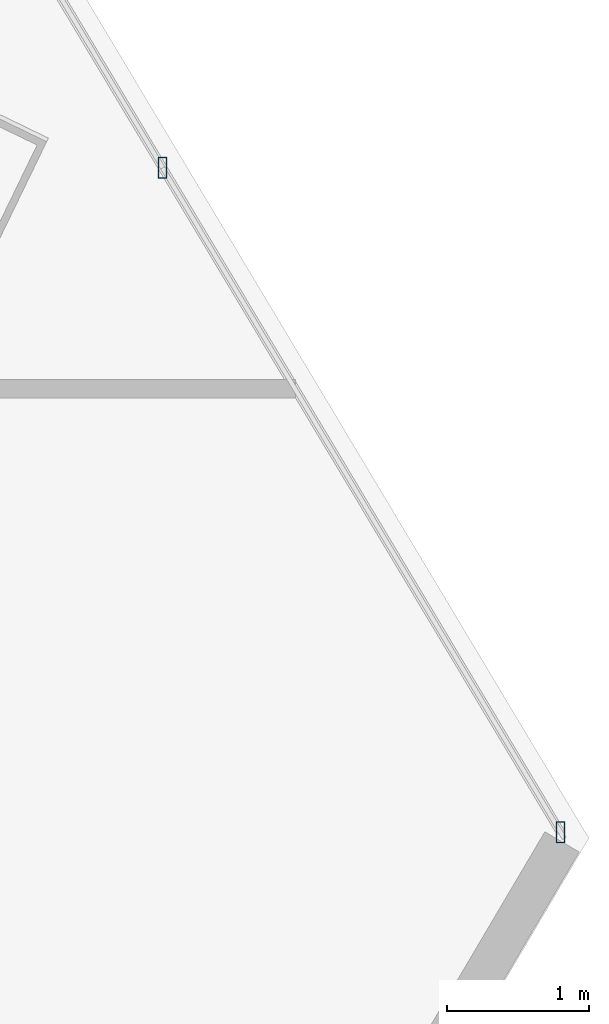
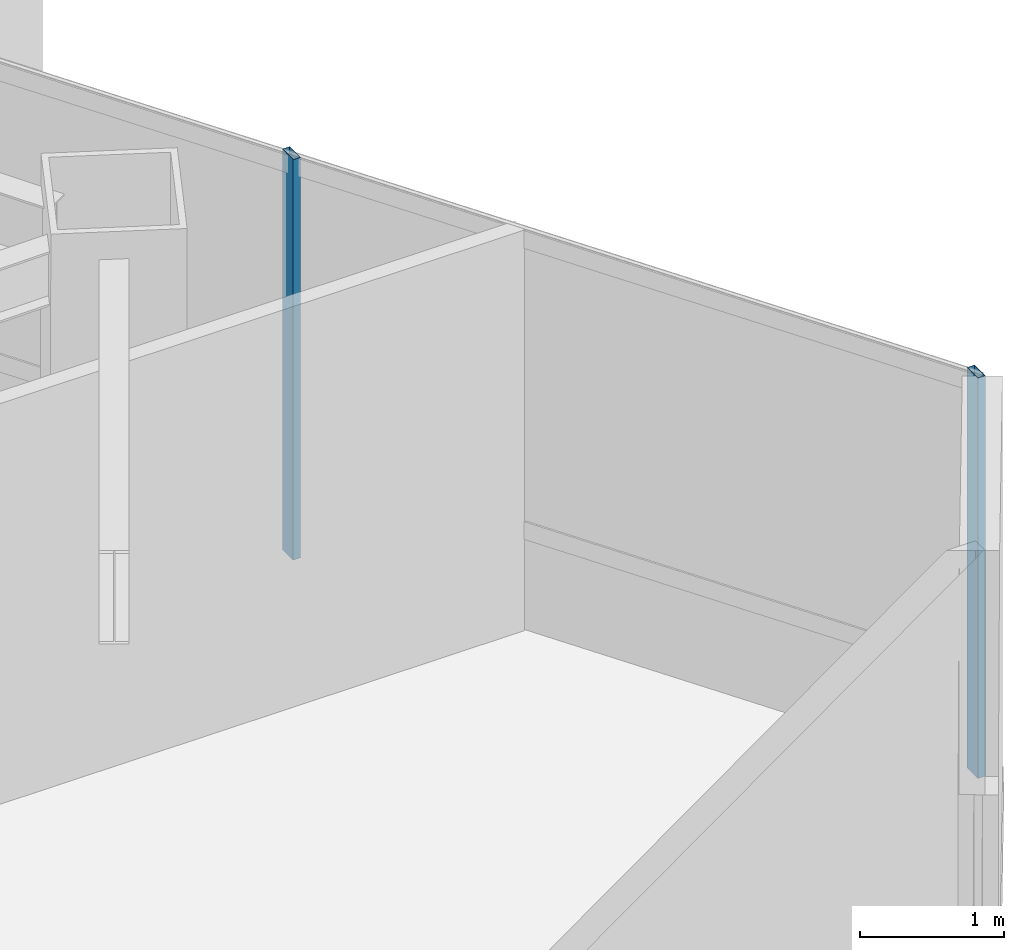
# One storey, part 20 of 40: 2 members, 1 element without a shape of its own.
"""IFC4 building model written with IfcOpenShell, lengths in metres."""

from ifc_helpers import new_model, si_unit, direction, frame, origin, origin_2d, place, context, subcontext, project, spatial, hollow_rectangle, extrude, source, transform, mapped, material, material_profile, profile_set, type_object, type_shapes, element, aggregate, save


model = new_model("IFC4")

# Units and contexts
model_context = context("Model", 3, precision=1e-05, world=origin(), true_north=direction((0.0, 1.0)))
body_context = subcontext(model_context, "Body", "Model", "MODEL_VIEW")
ifc_project = project(units=[si_unit("LENGTHUNIT", "METRE"), si_unit("AREAUNIT", "SQUARE_METRE"), si_unit("VOLUMEUNIT", "CUBIC_METRE"), si_unit("PLANEANGLEUNIT", "RADIAN"), si_unit("MASSUNIT", "GRAM", prefix="KILO")], contexts=[model_context])

# Site, building, storey
site_placement = place(None, origin())
site = spatial("IfcSite", under=ifc_project, at=site_placement, CompositionType="ELEMENT")
building_placement = place(site_placement, origin())
building = spatial("IfcBuilding", under=site, at=building_placement, Name="Caelisora Broadcast Tower", CompositionType="ELEMENT")
storey_placement = place(building_placement, frame((0.0, 0.0, 176.75)))
storey = spatial("IfcBuildingStorey", under=building, at=storey_placement, Name="L46", CompositionType="ELEMENT", Elevation=176.75)

# Curtain wall, members
ifc_material_1 = material(Name="Unitised Aluminium and Low-E Glass Curtain Wall", Category="glass")
curtain_wall_type = type_object("IfcCurtainWallType", Name="CW-Z3", PredefinedType="NOTDEFINED", material=ifc_material_1)
curtain_wall_placement = place(storey_placement, origin())
curtain_wall = element("IfcCurtainWall", 1, at=curtain_wall_placement, inside=storey, type_object=curtain_wall_type, Name="L46 curtain wall CW-Z3", PredefinedType="NOTDEFINED")
ifc_material_2 = material(Name="Aluminium 6063-T6 Anodised Terracotta Bronze", Category="aluminium")
ifc_material_profile = material_profile(ifc_material_2, hollow_rectangle(XDim=0.06005859375, YDim=0.14990234375, WallThickness=0.00341796875, at=origin_2d()), Name="Aluminium 6063-T6 Anodised Terracotta Bronze")
ifc_profile_set = profile_set([ifc_material_profile], Name="Aluminium 6063-T6 Anodised Terracotta Bronze")
member_type = type_object("IfcMemberType", Name="CWM-03", PredefinedType="MULLION", material=ifc_profile_set)
shared_shape = source(origin(), body_context, "Body", "SweptSolid", [
    extrude(hollow_rectangle(XDim=0.06005859375, YDim=0.14990234375, WallThickness=0.00341796875, at=origin_2d()), origin(), (0.0, 0.0, 1.0), 3.39990234375),
])
type_shapes(member_type, [shared_shape])
member_1_placement = place(storey_placement, frame((61.828369140625, 17.722412109375, 0.0), z_axis=(0.0, 0.0, 1.0), x_axis=(1.0, 0.0, 0.0)))
member_1 = element("IfcMember", 2, at=member_1_placement, type_object=member_type, Name="L46-CW-B03 mullion #2", PredefinedType="MULLION", context=body_context, shape_type="MappedRepresentation", body=[
    mapped(shared_shape, transform((0.0, 0.0, 0.0), scale=1.0)),
])
member_2_placement = place(storey_placement, frame((64.626220703125, 13.0498046875, 0.0), z_axis=(0.0, 0.0, 1.0), x_axis=(1.0, 0.0, 0.0)))
member_2 = element("IfcMember", 3, at=member_2_placement, type_object=member_type, Name="L46-CW-B03 mullion #3", PredefinedType="MULLION", context=body_context, shape_type="MappedRepresentation", body=[
    mapped(shared_shape, transform((0.0, 0.0, 0.0), scale=1.0)),
])
aggregate(curtain_wall, [member_1, member_2])

save(model, "model.ifc")
